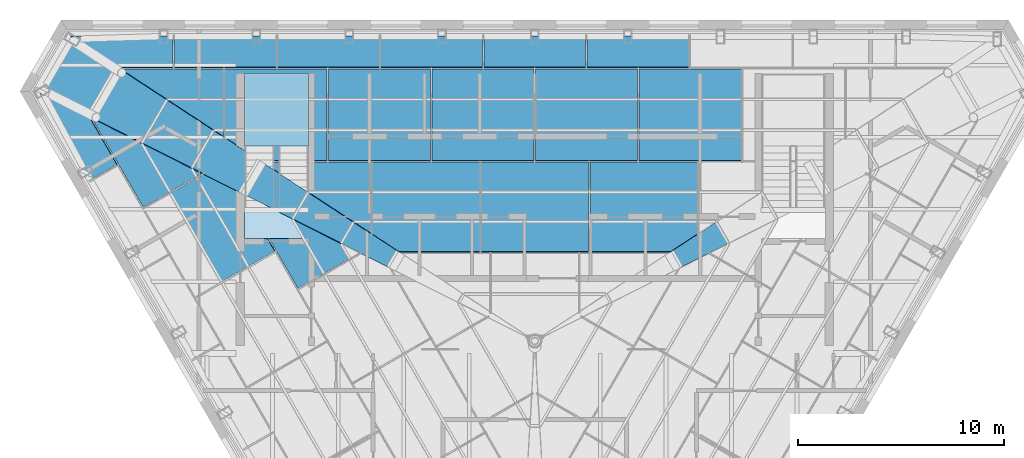
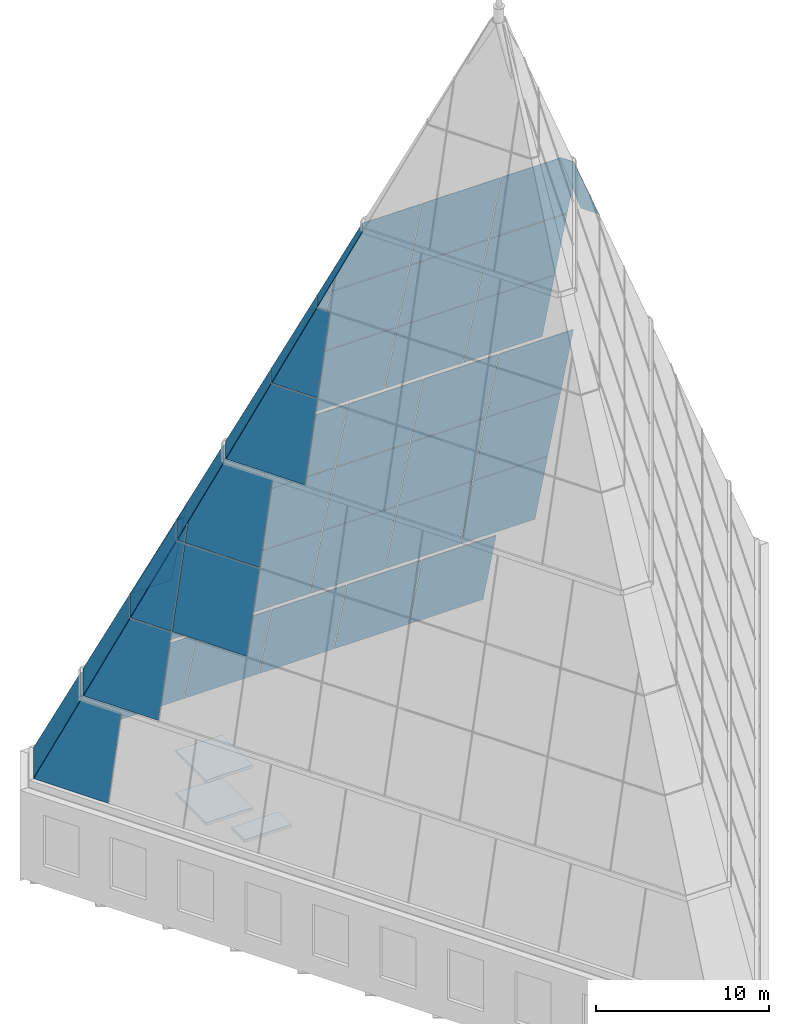
# One storey, part 28 of 36: 52 plates, 3 slabs, 11 elements without a shape of their own.
"""IFC4 building model written with IfcOpenShell, lengths in metres."""

import ifcopenshell
import ifcopenshell.guid

model = None  # the IFC model being written
_history = None  # IfcOwnerHistory: only IFC2X3 demands one
_inside = {}  # id of a spatial element -> (the spatial element, [elements in it])
_under = {}  # id of a project, library or spatial element -> (it, [spatial elements below it])
_declared = {}  # id of a project -> (the project, [libraries it declares])
_typed = {}  # id of a type object -> (the type object, [elements of that type])
_made_of = {}  # id of a material, layer set ... -> (it, [elements and type objects made of it])


def new_model(schema):
    """Start an empty IFC model of exactly this schema.

    Asked for "IFC4X3", IfcOpenShell would pick the latest addendum, in which some entities
    have other attributes; the version numbers below select the first issue.
    IFC2X3 requires an IfcOwnerHistory on every rooted entity: one is made here for all.
    """
    global model, _history
    if schema == "IFC4X3":
        model = ifcopenshell.file(schema_version=(4, 3, 0, 0))
    else:
        model = ifcopenshell.file(schema=schema)
    _inside.clear()
    _under.clear()
    _declared.clear()
    _typed.clear()
    _made_of.clear()
    _history = None
    if model.schema == "IFC2X3":
        org = make("IfcOrganization", Name="unknown")
        user = make(
            "IfcPersonAndOrganization",
            ThePerson=make("IfcPerson", FamilyName="unknown"),
            TheOrganization=org,
        )
        app = make(
            "IfcApplication",
            ApplicationDeveloper=org,
            Version="unknown",
            ApplicationFullName="unknown",
            ApplicationIdentifier="unknown",
        )
        _history = make(
            "IfcOwnerHistory",
            OwningUser=user,
            OwningApplication=app,
            ChangeAction="ADDED",
            CreationDate=0,
        )
    return model


def make(cls, **values):
    """One entity of the class cls with the attributes given. An attribute that is None is left unset."""
    return model.create_entity(
        cls, **{name: value for name, value in values.items() if value is not None}
    )


def rooted(cls, **values):
    """An entity with a GlobalId (a new one), such as an element, a storey or a relation."""
    return make(cls, GlobalId=ifcopenshell.guid.new(), OwnerHistory=_history, **values)


def si_unit(unit_type, name, prefix=None):
    """IfcSIUnit, for example si_unit("LENGTHUNIT", "METRE", prefix="MILLI")."""
    return make("IfcSIUnit", UnitType=unit_type, Prefix=prefix, Name=name)


def assignment(units):
    """IfcUnitAssignment: the units of a project."""
    return None if units is None else make("IfcUnitAssignment", Units=units)


def point(xyz):
    """IfcCartesianPoint."""
    return None if xyz is None else make("IfcCartesianPoint", Coordinates=xyz)


def direction(xyz):
    """IfcDirection."""
    return None if xyz is None else make("IfcDirection", DirectionRatios=xyz)


def frame(location, z_axis=None, x_axis=None):
    """IfcAxis2Placement3D, a coordinate frame: its origin and axes. An axis left out is left unset."""
    return make(
        "IfcAxis2Placement3D",
        Location=point(location),
        Axis=direction(z_axis),
        RefDirection=direction(x_axis),
    )


def origin():
    """The frame at (0, 0, 0) with its axes left unset."""
    return frame((0.0, 0.0, 0.0))


def place(relative_to, where):
    """IfcLocalPlacement: puts the frame where relative to a parent placement (None: the world)."""
    return make(
        "IfcLocalPlacement", PlacementRelTo=relative_to, RelativePlacement=where
    )


def context(
    kind, dimensions, precision=None, world=None, true_north=None, identifier=None
):
    """IfcGeometricRepresentationContext, for example the 3D "Model" context."""
    return make(
        "IfcGeometricRepresentationContext",
        ContextIdentifier=identifier,
        ContextType=kind,
        CoordinateSpaceDimension=dimensions,
        Precision=precision,
        WorldCoordinateSystem=world,
        TrueNorth=true_north,
    )


def subcontext(parent, identifier, kind, view, scale=None):
    """IfcGeometricRepresentationSubContext, for example "Body" below "Model"."""
    return make(
        "IfcGeometricRepresentationSubContext",
        ContextIdentifier=identifier,
        ContextType=kind,
        ParentContext=parent,
        TargetScale=scale,
        TargetView=view,
    )


def project(units=None, contexts=None):
    """IfcProject with its units and contexts."""
    return rooted(
        "IfcProject",
        Name="project",
        RepresentationContexts=contexts,
        UnitsInContext=assignment(units),
    )


def spatial(cls, under=None, at=None, **own):
    """A site, building, storey or space (cls), placed at a placement, below another one or the project."""
    s = rooted(cls, ObjectPlacement=at, **own)
    if under is not None:
        _under.setdefault(under.id(), (under, []))[1].append(s)
    return s


def polyline(points):
    """IfcPolyline through the points."""
    return make("IfcPolyline", Points=[point(p) for p in points])


def outline(outer, holes=None, kind="AREA"):
    """IfcArbitraryClosedProfileDef: a profile drawn as a closed curve; with holes, ...WithVoids."""
    if holes is None:
        return make("IfcArbitraryClosedProfileDef", ProfileType=kind, OuterCurve=outer)
    return make(
        "IfcArbitraryProfileDefWithVoids",
        ProfileType=kind,
        OuterCurve=outer,
        InnerCurves=holes,
    )


def extrude(swept, where, along, depth):
    """IfcExtrudedAreaSolid: the profile swept, set in the frame where, extruded along a direction by depth."""
    return make(
        "IfcExtrudedAreaSolid",
        SweptArea=swept,
        Position=where,
        ExtrudedDirection=direction(along),
        Depth=depth,
    )


def shape(context_of_items, identifier, shape_type, items):
    """IfcShapeRepresentation: the items that make up one representation, for example the "Body"."""
    return make(
        "IfcShapeRepresentation",
        ContextOfItems=context_of_items,
        RepresentationIdentifier=identifier,
        RepresentationType=shape_type,
        Items=items,
    )


def material(Name=None, Category=None):
    """IfcMaterial."""
    return make("IfcMaterial", Name=Name, Category=Category)


def layer(
    of_material, thickness, ventilated=None, Name=None, Category=None, Priority=None
):
    """IfcMaterialLayer: one layer of a wall or slab, of a material (None: an air gap)."""
    return make(
        "IfcMaterialLayer",
        Material=of_material,
        LayerThickness=thickness,
        IsVentilated=ventilated,
        Name=Name,
        Category=Category,
        Priority=Priority,
    )


def layer_set(layers, Name=None):
    """IfcMaterialLayerSet."""
    return make("IfcMaterialLayerSet", MaterialLayers=layers, LayerSetName=Name)


def made_of(thing, what):
    """Note that an element or type object is made of a material, layer set ...; save() writes the relation."""
    if what is not None:
        _made_of.setdefault(what.id(), (what, []))[1].append(thing)
    return thing


def type_object(cls, material=None, **own):
    """A type object (cls), such as IfcWallType, which elements share."""
    return made_of(rooted(cls, **own), material)


def element(
    cls,
    number,
    at=None,
    inside=None,
    cuts=None,
    type_object=None,
    material=None,
    context=None,
    identifier="Body",
    shape_type=None,
    held_by="IfcProductDefinitionShape",
    body=None,
    shapes=None,
    **own,
):
    """One element of the class cls, such as IfcWall. Its Tag is "e" and its number.

    at: its placement. inside: the storey or other place that contains it. cuts: it is an
    opening in that element (IfcRelVoidsElement). A single representation is given by context,
    identifier, shape_type and body (its items); several are given by shapes. held_by: the class
    of the entity that holds the representations. save() writes the other relations.
    """
    e = rooted(cls, Tag="e%d" % number, ObjectPlacement=at, **own)
    if body is not None:
        shapes = [shape(context, identifier, shape_type, body)]
    if shapes is not None:
        e.Representation = make(held_by, Representations=shapes)
    if inside is not None:
        _inside.setdefault(inside.id(), (inside, []))[1].append(e)
    if cuts is not None:
        rooted(
            "IfcRelVoidsElement", RelatingBuildingElement=cuts, RelatedOpeningElement=e
        )
    if type_object is not None:
        _typed.setdefault(type_object.id(), (type_object, []))[1].append(e)
    return made_of(e, material)


def aggregate(whole, parts):
    """IfcRelAggregates: a whole, such as a stair, and the parts it consists of."""
    return rooted("IfcRelAggregates", RelatingObject=whole, RelatedObjects=parts)


def save(model, path):
    """Write the relations noted so far, then the file.

    IfcRelAggregates (storeys below a building ...), IfcRelContainedInSpatialStructure (elements
    in a storey), IfcRelDefinesByType, IfcRelAssociatesMaterial and IfcRelDeclares: one each for
    every whole, place, type object, material and project.
    """
    for whole, parts in _under.values():
        aggregate(whole, parts)
    for where, things in _inside.values():
        rooted(
            "IfcRelContainedInSpatialStructure",
            RelatedElements=things,
            RelatingStructure=where,
        )
    for kind, things in _typed.values():
        rooted("IfcRelDefinesByType", RelatedObjects=things, RelatingType=kind)
    for what, things in _made_of.values():
        rooted("IfcRelAssociatesMaterial", RelatedObjects=things, RelatingMaterial=what)
    for by, libraries in _declared.values():
        rooted("IfcRelDeclares", RelatingContext=by, RelatedDefinitions=libraries)
    model.write(path)


model = new_model("IFC4")

# Units and contexts
model_context = context("Model", 3, precision=1e-05, world=origin(), true_north=direction((0.0, 1.0)))
body_context = subcontext(model_context, "Body", "Model", "MODEL_VIEW")
ifc_project = project(units=[si_unit("LENGTHUNIT", "METRE"), si_unit("AREAUNIT", "SQUARE_METRE"), si_unit("VOLUMEUNIT", "CUBIC_METRE"), si_unit("PLANEANGLEUNIT", "RADIAN"), si_unit("MASSUNIT", "GRAM", prefix="KILO")], contexts=[model_context])

# Site, building, storey
site_placement = place(None, origin())
site = spatial("IfcSite", under=ifc_project, at=site_placement, CompositionType="ELEMENT")
building_placement = place(site_placement, origin())
building = spatial("IfcBuilding", under=site, at=building_placement, Name="Njiva Tower", CompositionType="ELEMENT")
storey_placement = place(building_placement, frame((0.0, 0.0, 337.8)))
storey = spatial("IfcBuildingStorey", under=building, at=storey_placement, Name="L77", CompositionType="ELEMENT", Elevation=337.8)

# Curtain wall, plates
ifc_material_1 = material(Name="Glazed curtain wall", Category="glass")
ifc_layer_1 = layer(ifc_material_1, 0.16)
ifc_layer_set_1 = layer_set([ifc_layer_1], Name="Glazed curtain wall")
curtain_wall_type_1 = type_object("IfcCurtainWallType", Name="CW2 Crown glazing, faceted point, long faces", PredefinedType="NOTDEFINED", material=ifc_layer_set_1)
curtain_wall_1_placement = place(storey_placement, origin())
curtain_wall_1 = element("IfcCurtainWall", 1, at=curtain_wall_1_placement, inside=storey, type_object=curtain_wall_type_1, Name="Crown glazing face N tier 1", PredefinedType="NOTDEFINED")
ifc_material_2 = material(Name="Clear laminated glass", Category="glass")
ifc_layer_2 = layer(ifc_material_2, 0.032)
ifc_layer_set_2 = layer_set([ifc_layer_2], Name="Clear laminated glass")
plate_type_1 = type_object("IfcPlateType", Name="CW2-P Crown glass panel 32", PredefinedType="CURTAIN_PANEL", material=ifc_layer_set_2)
plate_1_placement = place(storey_placement, frame((2.5342, 19.4154, 6.5043), z_axis=(0.0, 0.963853799093, 0.266431706022), x_axis=(0.0, -0.266431706022, 0.963853799093)))
plate_1 = element("IfcPlate", 2, at=plate_1_placement, type_object=plate_type_1, Name="CW2-11 panel 4.1", PredefinedType="CURTAIN_PANEL", context=body_context, shape_type="SweptSolid", body=[
    extrude(outline(polyline([(0.0, 0.0), (5.659987028253686, 0.0), (5.659987028253686, 4.948500000000001), (0.0, 4.948500000000001), (0.0, 0.0)])), origin(), (0.0, 0.0, -1.0), 0.032),
])
plate_2_placement = place(storey_placement, frame((-2.4742, 19.4154, 6.5043), z_axis=(0.0, 0.963853799093, 0.266431706022), x_axis=(0.0, -0.266431706022, 0.963853799093)))
plate_2 = element("IfcPlate", 3, at=plate_2_placement, type_object=plate_type_1, Name="CW2-11 panel 5.1", PredefinedType="CURTAIN_PANEL", context=body_context, shape_type="SweptSolid", body=[
    extrude(outline(polyline([(0.0, 0.0), (5.659987028253685, 0.0), (5.659987028253685, 4.9484), (0.0, 4.9484), (0.0, 0.0)])), origin(), (0.0, 0.0, -1.0), 0.032),
])
plate_3_placement = place(storey_placement, frame((-7.4827, 19.4154, 6.5043), z_axis=(0.0, 0.963853799093, 0.266431706022), x_axis=(0.0, -0.266431706022, 0.963853799093)))
plate_3 = element("IfcPlate", 4, at=plate_3_placement, type_object=plate_type_1, Name="CW2-11 panel 6.1", PredefinedType="CURTAIN_PANEL", context=body_context, shape_type="SweptSolid", body=[
    extrude(outline(polyline([(0.0, 0.0), (5.659987028253686, 0.0), (5.659987028253686, 4.948500000000001), (0.0, 4.948500000000001), (0.0, 0.0)])), origin(), (0.0, 0.0, -1.0), 0.032),
])
plate_4_placement = place(storey_placement, frame((-12.4912, 19.4154, 6.5043), z_axis=(0.0, 0.963853799093, 0.266431706022), x_axis=(0.0, -0.266431706022, 0.963853799093)))
plate_4 = element("IfcPlate", 5, at=plate_4_placement, type_object=plate_type_1, Name="CW2-11 panel 7.1", PredefinedType="CURTAIN_PANEL", context=body_context, shape_type="SweptSolid", body=[
    extrude(outline(polyline([(0.0, 0.0), (5.659987028253686, 0.0), (5.659987028253686, 4.948499999999999), (0.0, 4.948499999999999), (0.0, 0.0)])), origin(), (0.0, 0.0, -1.0), 0.032),
])
plate_5_placement = place(storey_placement, frame((-17.4996, 19.4154, 6.5043), z_axis=(0.0, 0.963853799093, 0.266431706022), x_axis=(0.0, -0.266431706022, 0.963853799093)))
plate_5 = element("IfcPlate", 6, at=plate_5_placement, type_object=plate_type_1, Name="CW2-11 panel 8.1", PredefinedType="CURTAIN_PANEL", context=body_context, shape_type="SweptSolid", body=[
    extrude(outline(polyline([(0.0, 0.0), (5.659987028253685, 0.0), (5.659987028253685, 4.948400000000001), (0.0, 4.948400000000001), (0.0, 0.0)])), origin(), (0.0, 0.0, -1.0), 0.032),
])
plate_6_placement = place(storey_placement, frame((-17.5596, 17.9074, 11.9597), z_axis=(0.0, 0.963853799093, 0.266431706022), x_axis=(0.0, 0.266431706022, -0.963853799093)))
plate_6 = element("IfcPlate", 7, at=plate_6_placement, type_object=plate_type_1, Name="CW2-11 panel 9.1", PredefinedType="CURTAIN_PANEL", context=body_context, shape_type="SweptSolid", body=[
    extrude(outline(polyline([(0.0, 0.0), (5.659987028253686, 0.0), (5.659987028253686, 4.9785), (0.0, 2.680299999999999), (0.0, 0.0)])), origin(), (0.0, 0.0, -1.0), 0.032),
])
aggregate(curtain_wall_1, [plate_1, plate_2, plate_3, plate_4, plate_5, plate_6])

curtain_wall_2_placement = place(storey_placement, origin())
curtain_wall_2 = element("IfcCurtainWall", 8, at=curtain_wall_2_placement, inside=storey, type_object=curtain_wall_type_1, Name="Crown glazing face N tier 2", PredefinedType="NOTDEFINED")
plate_7_placement = place(storey_placement, frame((5.0595, 17.8275, 12.2488), z_axis=(0.0, 0.963853230824, 0.266433761806), x_axis=(0.0, -0.266433761806, 0.963853230824)))
plate_7 = element("IfcPlate", 9, at=plate_7_placement, type_object=plate_type_1, Name="CW2-12 panel 3.1", PredefinedType="CURTAIN_PANEL", context=body_context, shape_type="SweptSolid", body=[
    extrude(outline(polyline([(0.0, 0.0), (5.541715096429952, 0.0), (5.541715096429952, 4.969499999999999), (0.0, 4.969499999999999), (0.0, 0.0)])), origin(), (0.0, 0.0, -1.0), 0.032),
])
plate_8_placement = place(storey_placement, frame((5.0595, 16.3351, 17.648), z_axis=(0.0, 0.963853757245, 0.266431857414), x_axis=(0.0, -0.266431857414, 0.963853757245)))
plate_8 = element("IfcPlate", 10, at=plate_8_placement, type_object=plate_type_1, Name="CW2-12 panel 3.2", PredefinedType="CURTAIN_PANEL", context=body_context, shape_type="SweptSolid", body=[
    extrude(outline(polyline([(0.0, 0.0), (5.5117282679754815, 0.0), (5.5117282679754815, 4.9695), (0.0, 4.9695), (0.0, 0.0)])), origin(), (0.0, 0.0, -1.0), 0.032),
])
plate_9_placement = place(storey_placement, frame((10.029, 13.3742, 28.3597), z_axis=(0.0, 0.9638578647, 0.266416997687), x_axis=(0.0, 0.266416997687, -0.9638578647)))
plate_9 = element("IfcPlate", 11, at=plate_9_placement, type_object=plate_type_1, Name="CW2-12 panel 3.3", PredefinedType="CURTAIN_PANEL", context=body_context, shape_type="SweptSolid", body=[
    extrude(outline(polyline([(0.0, 0.0), (5.541688453891975, 0.0), (5.541688453891975, 4.9695), (0.0, 4.9695), (0.0, 0.0)])), origin(), (0.0, 0.0, -1.0), 0.032),
])
plate_10_placement = place(storey_placement, frame((0.03, 17.8275, 12.2488), z_axis=(0.0, 0.963853230824, 0.266433761806), x_axis=(0.0, -0.266433761806, 0.963853230824)))
plate_10 = element("IfcPlate", 12, at=plate_10_placement, type_object=plate_type_1, Name="CW2-12 panel 4.1", PredefinedType="CURTAIN_PANEL", context=body_context, shape_type="SweptSolid", body=[
    extrude(outline(polyline([(0.0, 0.0), (5.541715096429952, 0.0), (5.541715096429952, 4.969499999999999), (0.0, 4.969499999999999), (0.0, 0.0)])), origin(), (0.0, 0.0, -1.0), 0.032),
])
plate_11_placement = place(storey_placement, frame((0.03, 16.3351, 17.648), z_axis=(0.0, 0.963853757245, 0.266431857414), x_axis=(0.0, -0.266431857414, 0.963853757245)))
plate_11 = element("IfcPlate", 13, at=plate_11_placement, type_object=plate_type_1, Name="CW2-12 panel 4.2", PredefinedType="CURTAIN_PANEL", context=body_context, shape_type="SweptSolid", body=[
    extrude(outline(polyline([(0.0, 0.0), (5.5117282679754815, 0.0), (5.5117282679754815, 4.9695), (0.0, 4.9695), (0.0, 0.0)])), origin(), (0.0, 0.0, -1.0), 0.032),
])
plate_12_placement = place(storey_placement, frame((4.9995, 13.3742, 28.3597), z_axis=(0.0, 0.9638578647, 0.266416997687), x_axis=(0.0, 0.266416997687, -0.9638578647)))
plate_12 = element("IfcPlate", 14, at=plate_12_placement, type_object=plate_type_1, Name="CW2-12 panel 4.3", PredefinedType="CURTAIN_PANEL", context=body_context, shape_type="SweptSolid", body=[
    extrude(outline(polyline([(0.0, 0.0), (5.541688453891975, 0.0), (5.541688453891975, 4.9695), (0.0, 4.9695), (0.0, 0.0)])), origin(), (0.0, 0.0, -1.0), 0.032),
])
plate_13_placement = place(storey_placement, frame((-4.9995, 17.8275, 12.2488), z_axis=(0.0, 0.963853230824, 0.266433761806), x_axis=(0.0, -0.266433761806, 0.963853230824)))
plate_13 = element("IfcPlate", 15, at=plate_13_placement, type_object=plate_type_1, Name="CW2-12 panel 5.1", PredefinedType="CURTAIN_PANEL", context=body_context, shape_type="SweptSolid", body=[
    extrude(outline(polyline([(0.0, 0.0), (5.541715096429952, 0.0), (5.541715096429952, 4.969499999999999), (0.0, 4.969499999999999), (0.0, 0.0)])), origin(), (0.0, 0.0, -1.0), 0.032),
])
plate_14_placement = place(storey_placement, frame((-4.9995, 16.3351, 17.648), z_axis=(0.0, 0.963853757245, 0.266431857414), x_axis=(0.0, -0.266431857414, 0.963853757245)))
plate_14 = element("IfcPlate", 16, at=plate_14_placement, type_object=plate_type_1, Name="CW2-12 panel 5.2", PredefinedType="CURTAIN_PANEL", context=body_context, shape_type="SweptSolid", body=[
    extrude(outline(polyline([(0.0, 0.0), (5.5117282679754815, 0.0), (5.5117282679754815, 4.9695), (0.0, 4.9695), (0.0, 0.0)])), origin(), (0.0, 0.0, -1.0), 0.032),
])
plate_15_placement = place(storey_placement, frame((-0.03, 13.3742, 28.3597), z_axis=(0.0, 0.9638578647, 0.266416997687), x_axis=(0.0, 0.266416997687, -0.9638578647)))
plate_15 = element("IfcPlate", 17, at=plate_15_placement, type_object=plate_type_1, Name="CW2-12 panel 5.3", PredefinedType="CURTAIN_PANEL", context=body_context, shape_type="SweptSolid", body=[
    extrude(outline(polyline([(0.0, 0.0), (5.541688453891975, 0.0), (5.541688453891975, 4.9695), (0.0, 4.9695), (0.0, 0.0)])), origin(), (0.0, 0.0, -1.0), 0.032),
])
plate_16_placement = place(storey_placement, frame((-10.029, 17.8275, 12.2488), z_axis=(0.0, 0.963853230824, 0.266433761806), x_axis=(0.0, -0.266433761806, 0.963853230824)))
plate_16 = element("IfcPlate", 18, at=plate_16_placement, type_object=plate_type_1, Name="CW2-12 panel 6.1", PredefinedType="CURTAIN_PANEL", context=body_context, shape_type="SweptSolid", body=[
    extrude(outline(polyline([(0.0, 0.0), (5.541715096429952, 0.0), (5.541715096429952, 4.969499999999999), (0.0, 4.969499999999999), (0.0, 0.0)])), origin(), (0.0, 0.0, -1.0), 0.032),
])
plate_17_placement = place(storey_placement, frame((-10.029, 16.3351, 17.648), z_axis=(0.0, 0.963853757245, 0.266431857414), x_axis=(0.0, -0.266431857414, 0.963853757245)))
plate_17 = element("IfcPlate", 19, at=plate_17_placement, type_object=plate_type_1, Name="CW2-12 panel 6.2", PredefinedType="CURTAIN_PANEL", context=body_context, shape_type="SweptSolid", body=[
    extrude(outline(polyline([(0.0, 0.0), (5.5117282679754815, 0.0), (5.5117282679754815, 4.9695), (0.0, 4.9695), (0.0, 0.0)])), origin(), (0.0, 0.0, -1.0), 0.032),
])
plate_18_placement = place(storey_placement, frame((-5.0595, 13.3742, 28.3597), z_axis=(0.0, 0.9638578647, 0.266416997687), x_axis=(0.0, 0.266416997687, -0.9638578647)))
plate_18 = element("IfcPlate", 20, at=plate_18_placement, type_object=plate_type_1, Name="CW2-12 panel 6.3", PredefinedType="CURTAIN_PANEL", context=body_context, shape_type="SweptSolid", body=[
    extrude(outline(polyline([(0.0, 0.0), (5.541688453891975, 0.0), (5.541688453891975, 4.9695), (0.0, 4.9695), (0.0, 0.0)])), origin(), (0.0, 0.0, -1.0), 0.032),
])
plate_19_placement = place(storey_placement, frame((-15.0586, 17.8275, 12.2488), z_axis=(0.0, 0.963853230824, 0.266433761806), x_axis=(0.0, -0.266433761806, 0.963853230824)))
plate_19 = element("IfcPlate", 21, at=plate_19_placement, type_object=plate_type_1, Name="CW2-12 panel 7.1", PredefinedType="CURTAIN_PANEL", context=body_context, shape_type="SweptSolid", body=[
    extrude(outline(polyline([(0.0, 0.0), (5.541715096429952, 0.0), (5.541715096429952, 4.9696), (0.0, 4.9696), (0.0, 0.0)])), origin(), (0.0, 0.0, -1.0), 0.032),
])
plate_20_placement = place(storey_placement, frame((-15.0586, 16.3351, 17.648), z_axis=(0.0, 0.963853757245, 0.266431857414), x_axis=(0.0, -0.266431857414, 0.963853757245)))
plate_20 = element("IfcPlate", 22, at=plate_20_placement, type_object=plate_type_1, Name="CW2-12 panel 7.2", PredefinedType="CURTAIN_PANEL", context=body_context, shape_type="SweptSolid", body=[
    extrude(outline(polyline([(0.0, 0.0), (5.5117282679754815, 0.0), (5.5117282679754815, 4.9696), (0.0, 4.9696), (0.0, 0.0)])), origin(), (0.0, 0.0, -1.0), 0.032),
])
plate_21_placement = place(storey_placement, frame((-10.089, 13.3742, 28.3597), z_axis=(1.168663e-06, 0.963857961762, 0.266416646528), x_axis=(0.0, 0.266416646528, -0.963857961762)))
plate_21 = element("IfcPlate", 23, at=plate_21_placement, type_object=plate_type_1, Name="CW2-12 panel 7.3", PredefinedType="CURTAIN_PANEL", context=body_context, shape_type="SweptSolid", body=[
    extrude(outline(polyline([(0.0, 0.0), (5.541688453891607, 0.0), (5.541688453893722, 4.969599999996607), (4.254571998436861, 4.96960000000837), (1.3803613007902165e-12, 3.2419999999977853), (0.0, 0.0)])), origin(), (0.0, 0.0, -1.0), 0.032),
])
plate_22_placement = place(storey_placement, frame((-17.8679, 16.351, 17.5902), z_axis=(0.0, 0.963853230824, 0.266433761806), x_axis=(1.0, 0.0, 0.0)))
plate_22 = element("IfcPlate", 24, at=plate_22_placement, type_object=plate_type_1, Name="CW2-12 panel 8.1", PredefinedType="CURTAIN_PANEL", context=body_context, shape_type="SweptSolid", body=[
    extrude(outline(polyline([(0.0, 0.0), (2.749299999999998, 0.0), (2.749299999999998, 5.541715096429951), (-2.2501999999999995, 5.541715096429951), (0.0, 0.0)])), origin(), (0.0, 0.0, -1.0), 0.032),
])
plate_23_placement = place(storey_placement, frame((-15.6056, 14.8666, 22.9605), z_axis=(0.0, 0.963853757245, 0.266431857414), x_axis=(1.0, 0.0, 0.0)))
plate_23 = element("IfcPlate", 25, at=plate_23_placement, type_object=plate_type_1, Name="CW2-12 panel 8.2", PredefinedType="CURTAIN_PANEL", context=body_context, shape_type="SweptSolid", body=[
    extrude(outline(polyline([(0.0, 0.0), (0.4870000000000001, 0.0), (0.4870000000000001, 5.5117282679754815), (-2.237899999999998, 5.5117282679754815), (0.0, 0.0)])), origin(), (0.0, 0.0, -1.0), 0.032),
])
plate_24_placement = place(storey_placement, frame((-15.1186, 14.5471, 24.1165), z_axis=(0.0, 0.963869154255, 0.266376150352), x_axis=(0.0, 0.266376150352, -0.963869154255)))
plate_24 = element("IfcPlate", 26, at=plate_24_placement, type_object=plate_type_1, Name="CW2-12 panel 8.3", PredefinedType="CURTAIN_PANEL", context=body_context, shape_type="SweptSolid", body=[
    extrude(outline(polyline([(0.0, 0.0), (1.1393662668342954, 0.0), (1.1393662668342954, 0.4626000000000001), (0.0, 0.0)])), origin(), (0.0, 0.0, -1.0), 0.032),
])
aggregate(curtain_wall_2, [plate_7, plate_8, plate_9, plate_10, plate_11, plate_12, plate_13, plate_14, plate_15, plate_16, plate_17, plate_18, plate_19, plate_20, plate_21, plate_22, plate_23, plate_24])

curtain_wall_3_placement = place(storey_placement, origin())
curtain_wall_3 = element("IfcCurtainWall", 27, at=curtain_wall_3_placement, inside=storey, type_object=curtain_wall_type_1, Name="Crown glazing face N tier 3", PredefinedType="NOTDEFINED")
plate_25_placement = place(storey_placement, frame((2.6718, 13.2942, 28.6488), z_axis=(0.0, 0.963855724006, 0.266424742282), x_axis=(0.0, -0.266424742282, 0.963855724006)))
plate_25 = element("IfcPlate", 28, at=plate_25_placement, type_object=plate_type_1, Name="CW2-13 panel 2.1", PredefinedType="CURTAIN_PANEL", context=body_context, shape_type="SweptSolid", body=[
    extrude(outline(polyline([(0.0, 0.0), (5.403402055187086, 0.0), (5.403402055187086, 5.2237), (0.0, 5.2237), (0.0, 0.0)])), origin(), (0.0, 0.0, -1.0), 0.032),
])
plate_26_placement = place(storey_placement, frame((2.6718, 11.8386, 33.9147), z_axis=(0.0, 0.963854956869, 0.266427517571), x_axis=(0.0, -0.266427517571, 0.963854956869)))
plate_26 = element("IfcPlate", 29, at=plate_26_placement, type_object=plate_type_1, Name="CW2-13 panel 2.2", PredefinedType="CURTAIN_PANEL", context=body_context, shape_type="SweptSolid", body=[
    extrude(outline(polyline([(0.0, 0.0), (5.373318841274921, 0.0), (5.373318841274921, 5.223700000000001), (0.0, 5.223700000000001), (0.0, 0.0)])), origin(), (0.0, 0.0, -1.0), 0.032),
])
plate_27_placement = place(storey_placement, frame((7.8955, 9.8076, 41.2622), z_axis=(1.366324e-06, 0.963854322401, 0.266429812873), x_axis=(-8e-12, 0.266429812874, -0.963854322402)))
plate_27 = element("IfcPlate", 30, at=plate_27_placement, type_object=plate_type_1, Name="CW2-13 panel 2.3", PredefinedType="CURTAIN_PANEL", context=body_context, shape_type="SweptSolid", body=[
    extrude(outline(polyline([(0.0, 0.0), (2.1896497002589173, 0.0), (2.1896497002996345, 5.223699999995125), (-3.21365596938041, 5.223700000039678), (-3.2136559694109557, 1.304900000043335), (0.0, 0.0)])), origin(), (0.0, 0.0, -1.0), 0.032),
])
plate_28_placement = place(storey_placement, frame((-2.6118, 13.2942, 28.6488), z_axis=(0.0, 0.963855724006, 0.266424742282), x_axis=(0.0, -0.266424742282, 0.963855724006)))
plate_28 = element("IfcPlate", 31, at=plate_28_placement, type_object=plate_type_1, Name="CW2-13 panel 3.1", PredefinedType="CURTAIN_PANEL", context=body_context, shape_type="SweptSolid", body=[
    extrude(outline(polyline([(0.0, 0.0), (5.403402055187086, 0.0), (5.403402055187086, 5.2236), (0.0, 5.2236), (0.0, 0.0)])), origin(), (0.0, 0.0, -1.0), 0.032),
])
plate_29_placement = place(storey_placement, frame((-2.6118, 11.8386, 33.9147), z_axis=(0.0, 0.963854956869, 0.266427517571), x_axis=(0.0, -0.266427517571, 0.963854956869)))
plate_29 = element("IfcPlate", 32, at=plate_29_placement, type_object=plate_type_1, Name="CW2-13 panel 3.2", PredefinedType="CURTAIN_PANEL", context=body_context, shape_type="SweptSolid", body=[
    extrude(outline(polyline([(0.0, 0.0), (5.37331884127492, 0.0), (5.37331884127492, 5.223599999999999), (0.0, 5.223599999999999), (0.0, 0.0)])), origin(), (0.0, 0.0, -1.0), 0.032),
])
plate_30_placement = place(storey_placement, frame((2.6118, 8.9514, 44.3597), z_axis=(0.0, 0.963854410315, 0.266429494833), x_axis=(0.0, 0.266429494833, -0.963854410315)))
plate_30 = element("IfcPlate", 33, at=plate_30_placement, type_object=plate_type_1, Name="CW2-13 panel 3.3", PredefinedType="CURTAIN_PANEL", context=body_context, shape_type="SweptSolid", body=[
    extrude(outline(polyline([(0.0, 0.0), (5.403305669680338, 0.0), (5.403305669680338, 5.2236), (0.0, 5.2236), (0.0, 0.0)])), origin(), (0.0, 0.0, -1.0), 0.032),
])
plate_31_placement = place(storey_placement, frame((-7.8955, 13.2942, 28.6488), z_axis=(0.0, 0.963855724006, 0.266424742282), x_axis=(0.0, -0.266424742282, 0.963855724006)))
plate_31 = element("IfcPlate", 34, at=plate_31_placement, type_object=plate_type_1, Name="CW2-13 panel 4.1", PredefinedType="CURTAIN_PANEL", context=body_context, shape_type="SweptSolid", body=[
    extrude(outline(polyline([(0.0, 0.0), (5.403402055187086, 0.0), (5.403402055187086, 5.2237), (0.0, 5.2237), (0.0, 0.0)])), origin(), (0.0, 0.0, -1.0), 0.032),
])
plate_32_placement = place(storey_placement, frame((-7.8955, 11.8386, 33.9147), z_axis=(0.0, 0.963854956869, 0.266427517571), x_axis=(0.0, -0.266427517571, 0.963854956869)))
plate_32 = element("IfcPlate", 35, at=plate_32_placement, type_object=plate_type_1, Name="CW2-13 panel 4.2", PredefinedType="CURTAIN_PANEL", context=body_context, shape_type="SweptSolid", body=[
    extrude(outline(polyline([(0.0, 0.0), (5.373318841274921, 0.0), (5.373318841274921, 5.223700000000001), (0.0, 5.223700000000001), (0.0, 0.0)])), origin(), (0.0, 0.0, -1.0), 0.032),
])
plate_33_placement = place(storey_placement, frame((-2.6718, 8.9514, 44.3597), z_axis=(-1.366324e-06, 0.963854322401, 0.266429812873), x_axis=(0.0, 0.266429812874, -0.963854322402)))
plate_33 = element("IfcPlate", 36, at=plate_33_placement, type_object=plate_type_1, Name="CW2-13 panel 4.3", PredefinedType="CURTAIN_PANEL", context=body_context, shape_type="SweptSolid", body=[
    extrude(outline(polyline([(0.0, 0.0), (5.403305669680044, 0.0), (5.403305669682399, 5.223699999995124), (3.2136559694234816, 5.223700000013179), (1.7667631656273846e-12, 3.918799999996342), (0.0, 0.0)])), origin(), (0.0, 0.0, -1.0), 0.032),
])
plate_34_placement = place(storey_placement, frame((-11.0152, 11.8546, 33.8569), z_axis=(0.0, 0.963855724006, 0.266424742282), x_axis=(1.0, 0.0, 0.0)))
plate_34 = element("IfcPlate", 37, at=plate_34_placement, type_object=plate_type_1, Name="CW2-13 panel 5.1", PredefinedType="CURTAIN_PANEL", context=body_context, shape_type="SweptSolid", body=[
    extrude(outline(polyline([(0.0, 0.0), (3.0597000000000003, 0.0), (3.0597000000000003, 5.403402055187085), (-2.193999999999999, 5.403402055187085), (0.0, 0.0)])), origin(), (0.0, 0.0, -1.0), 0.032),
])
plate_35_placement = place(storey_placement, frame((-8.809, 10.407, 39.0938), z_axis=(0.0, 0.963854956869, 0.266427517571), x_axis=(1.0, 0.0, 0.0)))
plate_35 = element("IfcPlate", 38, at=plate_35_placement, type_object=plate_type_1, Name="CW2-13 panel 5.2", PredefinedType="CURTAIN_PANEL", context=body_context, shape_type="SweptSolid", body=[
    extrude(outline(polyline([(0.0, 0.0), (0.8534999999999995, 0.0), (0.8534999999999995, 5.373318841274921), (-2.181800000000001, 5.373318841274921), (0.0, 0.0)])), origin(), (0.0, 0.0, -1.0), 0.032),
])
plate_36_placement = place(storey_placement, frame((-7.9555, 9.847, 41.1198), z_axis=(0.0, 0.963857423008, 0.266418595659), x_axis=(0.0, 0.266418595659, -0.963857423008)))
plate_36 = element("IfcPlate", 39, at=plate_36_placement, type_object=plate_type_1, Name="CW2-13 panel 5.3", PredefinedType="CURTAIN_PANEL", context=body_context, shape_type="SweptSolid", body=[
    extrude(outline(polyline([(0.0, 0.0), (2.0418995102599866, 0.0), (2.0418995102599866, 0.8290999999999995), (0.0, 0.0)])), origin(), (0.0, 0.0, -1.0), 0.032),
])
aggregate(curtain_wall_3, [plate_25, plate_26, plate_27, plate_28, plate_29, plate_30, plate_31, plate_32, plate_33, plate_34, plate_35, plate_36])

# Curtain wall, plate
curtain_wall_4_placement = place(storey_placement, origin())
curtain_wall_4 = element("IfcCurtainWall", 40, at=curtain_wall_4_placement, inside=storey, type_object=curtain_wall_type_1, Name="Crown glazing face SW tier 1", PredefinedType="NOTDEFINED")
plate_37_placement = place(storey_placement, frame((-21.6004, 12.4167, 6.5043), z_axis=(-0.834725233972, -0.481917369766, 0.266438421569), x_axis=(0.230743929742, 0.133216633253, 0.963851942734)))
plate_37 = element("IfcPlate", 41, at=plate_37_placement, type_object=plate_type_1, Name="CW2-31 panel 1.1", PredefinedType="CURTAIN_PANEL", context=body_context, shape_type="SweptSolid", body=[
    extrude(outline(polyline([(0.0, 0.0), (5.659994802106447, -1.1575531081353587e-16), (5.6599973109652835, 2.68026816752834), (-4.275644912343779e-06, 4.978468528559134), (0.0, 0.0)])), origin(), (0.0, 0.0, -1.0), 0.032),
])
aggregate(curtain_wall_4, [plate_37])

# Curtain wall, plates
curtain_wall_5_placement = place(storey_placement, origin())
curtain_wall_5 = element("IfcCurtainWall", 42, at=curtain_wall_5_placement, inside=storey, type_object=curtain_wall_type_1, Name="Crown glazing face SW tier 2", PredefinedType="NOTDEFINED")
plate_38_placement = place(storey_placement, frame((-19.0046, 11.0966, 12.2488), z_axis=(-0.834723215778, -0.481929889064, 0.266422099435), x_axis=(0.23072831047, 0.133211042393, 0.963856454526)))
plate_38 = element("IfcPlate", 43, at=plate_38_placement, type_object=plate_type_1, Name="CW2-32 panel 1.1", PredefinedType="CURTAIN_PANEL", context=body_context, shape_type="SweptSolid", body=[
    extrude(outline(polyline([(0.0, 0.0), (5.541688475468809, 5.2861632172246376e-17), (5.541695080108525, 2.74944308890011), (-1.0780262383103256e-05, 4.999530190830732), (0.0, 0.0)])), origin(), (0.0, 0.0, -1.0), 0.032),
])
plate_39_placement = place(storey_placement, frame((-19.0746, 14.2027, 17.648), z_axis=(-0.834718218358, -0.481937539072, 0.266423918547), x_axis=(0.500009434417, -0.86601995675, -2.03617e-06)))
plate_39 = element("IfcPlate", 44, at=plate_39_placement, type_object=plate_type_1, Name="CW2-32 panel 1.2", PredefinedType="CURTAIN_PANEL", context=body_context, shape_type="SweptSolid", body=[
    extrude(outline(polyline([(0.0, 0.0), (2.7249833503282694, 5.551115123125783e-17), (2.724916076681898, 5.511721475640848), (2.2379631636397437, 5.5117146903443635), (0.0, 0.0)])), origin(), (0.0, 0.0, -1.0), 0.032),
])
plate_40_placement = place(storey_placement, frame((-16.6579, 12.9857, 23.0183), z_axis=(-0.834717529377, -0.481952482638, 0.266399043972), x_axis=(0.500021859037, -0.866012783096, 0.0)))
plate_40 = element("IfcPlate", 45, at=plate_40_placement, type_object=plate_type_1, Name="CW2-32 panel 1.3", PredefinedType="CURTAIN_PANEL", context=body_context, shape_type="SweptSolid", body=[
    extrude(outline(polyline([(0.0, 0.0), (0.46257977690340035, -6.938893903907228e-18), (0.4626613844484892, 1.1393737461167555), (0.0, 0.0)])), origin(), (0.0, 0.0, -1.0), 0.032),
])
plate_41_placement = place(storey_placement, frame((-15.1974, 7.4871, 17.648), z_axis=(-0.834729858119, -0.481917694678, 0.266423346426), x_axis=(0.230722813548, 0.133223057616, 0.963856109711)))
plate_41 = element("IfcPlate", 46, at=plate_41_placement, type_object=plate_type_1, Name="CW2-32 panel 2.2", PredefinedType="CURTAIN_PANEL", context=body_context, shape_type="SweptSolid", body=[
    extrude(outline(polyline([(0.0, 0.0), (5.51172147603808, -3.382710778154774e-17), (5.511796574277788, 4.969463529776594), (8.842054546986944e-05, 4.969550132718373), (0.0, 0.0)])), origin(), (0.0, 0.0, -1.0), 0.032),
])
plate_42_placement = place(storey_placement, frame((-16.0996, 12.7046, 24.2589), z_axis=(-0.834724724964, -0.48192425626, 0.266427560065), x_axis=(-0.230723962083, -0.133229495324, -0.963854944946)))
plate_42 = element("IfcPlate", 47, at=plate_42_placement, type_object=plate_type_1, Name="CW2-32 panel 2.3", PredefinedType="CURTAIN_PANEL", context=body_context, shape_type="SweptSolid", body=[
    extrude(outline(polyline([(0.0, 0.0), (1.2871323198864264, 1.0242322398199e-17), (1.2872091979278197, 4.96951352947726), (-4.254479276373042, 4.969614138559161), (-4.2545539373039345, 1.7277112155246772), (0.0, 0.0)])), origin(), (0.0, 0.0, -1.0), 0.032),
])
aggregate(curtain_wall_5, [plate_38, plate_39, plate_40, plate_41, plate_42])

curtain_wall_6_placement = place(storey_placement, origin())
curtain_wall_6 = element("IfcCurtainWall", 48, at=curtain_wall_6_placement, inside=storey, type_object=curtain_wall_type_1, Name="Crown glazing face SW tier 3", PredefinedType="NOTDEFINED")
plate_43_placement = place(storey_placement, frame((-11.4972, 7.1599, 28.6488), z_axis=(-0.834720213512, -0.481933677548, 0.266424652762), x_axis=(0.230733748325, 0.133206730489, 0.963855748718)))
plate_43 = element("IfcPlate", 49, at=plate_43_placement, type_object=plate_type_1, Name="CW2-33 panel 1.1", PredefinedType="CURTAIN_PANEL", context=body_context, shape_type="SweptSolid", body=[
    extrude(outline(polyline([(0.0, 0.0), (5.403418166914702, -6.006480035569695e-17), (5.403376479128034, 3.059657512664768), (-2.7427722896655737e-05, 5.253642381794895), (0.0, 0.0)])), origin(), (0.0, 0.0, -1.0), 0.032),
])
plate_44_placement = place(storey_placement, frame((-11.7543, 10.5163, 33.9147), z_axis=(-0.834715623335, -0.481937541352, 0.266432044611), x_axis=(0.500011654283, -0.866018675074, 2.35951e-06)))
plate_44 = element("IfcPlate", 50, at=plate_44_placement, type_object=plate_type_1, Name="CW2-33 panel 1.2", PredefinedType="CURTAIN_PANEL", context=body_context, shape_type="SweptSolid", body=[
    extrude(outline(polyline([(0.0, 0.0), (3.035284377002829, 0.0), (3.0353148785015525, 5.373318387025578), (2.1818855028723654, 5.37332790658014), (0.0, 0.0)])), origin(), (0.0, 0.0, -1.0), 0.032),
])
aggregate(curtain_wall_6, [plate_43, plate_44])

# Curtain wall, plate
ifc_layer_3 = layer(ifc_material_1, 0.16)
ifc_layer_set_3 = layer_set([ifc_layer_3], Name="Glazed curtain wall")
curtain_wall_type_2 = type_object("IfcCurtainWallType", Name="CW3 Crown glazing, faceted point, corner faces", PredefinedType="NOTDEFINED", material=ifc_layer_set_3)
curtain_wall_7_placement = place(storey_placement, origin())
curtain_wall_7 = element("IfcCurtainWall", 51, at=curtain_wall_7_placement, inside=storey, type_object=curtain_wall_type_2, Name="Crown glazing face NW tier 1", PredefinedType="NOTDEFINED")
ifc_layer_4 = layer(ifc_material_2, 0.032)
ifc_layer_set_4 = layer_set([ifc_layer_4], Name="Clear laminated glass")
plate_type_2 = type_object("IfcPlateType", Name="CW3-P Crown corner glass panel 32", PredefinedType="CURTAIN_PANEL", material=ifc_layer_set_4)
plate_45_placement = place(storey_placement, frame((-22.566, 19.4161, 6.5162), z_axis=(-0.773652131341, 0.446670873536, 0.449385703383), x_axis=(-0.500000818661, -0.866024931124, 3.145316e-06)))
plate_45 = element("IfcPlate", 52, at=plate_45_placement, type_object=plate_type_2, Name="CW3-21 panel 1.1", PredefinedType="CURTAIN_PANEL", context=body_context, shape_type="SweptSolid", body=[
    extrude(outline(polyline([(0.0, 0.0), (3.0762282781901, 0.0), (2.919088538930951, 6.118615597656227), (0.15714237560446365, 6.118636153043085), (0.0, 0.0)])), origin(), (0.0, 0.0, -1.0), 0.032),
])
aggregate(curtain_wall_7, [plate_45])

# Curtain wall, plates
curtain_wall_8_placement = place(storey_placement, origin())
curtain_wall_8 = element("IfcCurtainWall", 53, at=curtain_wall_8_placement, inside=storey, type_object=curtain_wall_type_2, Name="Crown glazing face NW tier 2", PredefinedType="NOTDEFINED")
plate_46_placement = place(storey_placement, frame((-19.1158, 14.24, 17.6007), z_axis=(-0.773652890639, 0.446667523896, 0.44938772558), x_axis=(0.499997873412, 0.866026631563, -2.605923e-06)))
plate_46 = element("IfcPlate", 54, at=plate_46_placement, type_object=plate_type_2, Name="CW3-22 panel 1.1", PredefinedType="CURTAIN_PANEL", context=body_context, shape_type="SweptSolid", body=[
    extrude(outline(polyline([(0.0, 0.0), (2.4388322553632085, 0.0), (2.592704379768138, 5.989334739278696), (-0.15387364562476646, 5.989349865468008), (0.0, 0.0)])), origin(), (0.0, 0.0, -1.0), 0.032),
])
plate_47_placement = place(storey_placement, frame((-16.6959, 13.0213, 22.978), z_axis=(-0.773648655227, 0.446669149486, 0.449393401335), x_axis=(0.500004437177, 0.866022841952, 4.61551e-06)))
plate_47 = element("IfcPlate", 55, at=plate_47_placement, type_object=plate_type_2, Name="CW3-22 panel 1.2", PredefinedType="CURTAIN_PANEL", context=body_context, shape_type="SweptSolid", body=[
    extrude(outline(polyline([(0.0, 0.0), (2.129747254845407, 1.6653345369377348e-16), (2.2827519457715635, 5.959373260173964), (-0.15307864336330454, 5.95934967160578), (0.0, 0.0)])), origin(), (0.0, 0.0, -1.0), 0.032),
])
plate_48_placement = place(storey_placement, frame((-15.6084, 14.8509, 23.0316), z_axis=(-0.773656937166, 0.446669711923, 0.449378584298), x_axis=(-0.499998682896, -0.866026164214, 4.62174e-07)))
plate_48 = element("IfcPlate", 56, at=plate_48_placement, type_object=plate_type_2, Name="CW3-22 panel 1.3", PredefinedType="CURTAIN_PANEL", context=body_context, shape_type="SweptSolid", body=[
    extrude(outline(polyline([(0.0, 0.0), (2.1266089861550053, -5.551115123125783e-17), (1.972857957111159, 5.989422391271436), (0.15385813853198968, 5.989424432548018), (0.0, 0.0)])), origin(), (0.0, 0.0, -1.0), 0.032),
])
aggregate(curtain_wall_8, [plate_46, plate_47, plate_48])

curtain_wall_9_placement = place(storey_placement, origin())
curtain_wall_9 = element("IfcCurtainWall", 57, at=curtain_wall_9_placement, inside=storey, type_object=curtain_wall_type_2, Name="Crown glazing face NW tier 3", PredefinedType="NOTDEFINED")
plate_49_placement = place(storey_placement, frame((-11.7954, 10.5536, 33.8674), z_axis=(-0.773643852805, 0.446682079259, 0.449388817267), x_axis=(0.50001570217, 0.866016337943, 2.13145e-07)))
plate_49 = element("IfcPlate", 58, at=plate_49_placement, type_object=plate_type_2, Name="CW3-23 panel 1.1", PredefinedType="CURTAIN_PANEL", context=body_context, shape_type="SweptSolid", body=[
    extrude(outline(polyline([(0.0, 0.0), (1.5035516785263807, 5.551115123125783e-17), (1.653448215651993, 5.840130451296199), (-0.1500968627973553, 5.840129662240196), (0.0, 0.0)])), origin(), (0.0, 0.0, -1.0), 0.032),
])
plate_50_placement = place(storey_placement, frame((-9.4355, 9.3651, 39.1114), z_axis=(-0.77366309949, 0.446645409114, 0.449392130555), x_axis=(0.499977717174, 0.866038268383, 5.103905e-06)))
plate_50 = element("IfcPlate", 59, at=plate_50_placement, type_object=plate_type_2, Name="CW3-23 panel 1.2", PredefinedType="CURTAIN_PANEL", context=body_context, shape_type="SweptSolid", body=[
    extrude(outline(polyline([(0.0, 0.0), (1.2020324454080367, 2.7755575615628914e-17), (1.3513463852039382, 5.810148716444043), (-0.1491536279834052, 5.810133276016405), (0.0, 0.0)])), origin(), (0.0, 0.0, -1.0), 0.032),
])
plate_51_placement = place(storey_placement, frame((-8.8119, 10.3913, 39.165), z_axis=(-0.773638990666, 0.446690500445, 0.449388817099), x_axis=(-0.500024681322, -0.866011153547, 8.14001e-07)))
plate_51 = element("IfcPlate", 60, at=plate_51_placement, type_object=plate_type_2, Name="CW3-23 panel 1.3", PredefinedType="CURTAIN_PANEL", context=body_context, shape_type="SweptSolid", body=[
    extrude(outline(polyline([(0.0, 0.0), (1.1989441771806075, -5.551115123125783e-17), (1.0488254615465487, 5.840129100560377), (0.149874684255807, 5.840131012144763), (0.0, 0.0)])), origin(), (0.0, 0.0, -1.0), 0.032),
])
aggregate(curtain_wall_9, [plate_49, plate_50, plate_51])

# Curtain wall, plate
curtain_wall_10_placement = place(storey_placement, origin())
curtain_wall_10 = element("IfcCurtainWall", 61, at=curtain_wall_10_placement, inside=storey, type_object=curtain_wall_type_2, Name="Crown glazing face NE tier 3", PredefinedType="NOTDEFINED")
plate_52_placement = place(storey_placement, frame((9.4114, 9.353, 39.165), z_axis=(0.773638990666, 0.446690500445, 0.449388817099), x_axis=(-0.500024681322, 0.866011153547, -8.14001e-07)))
plate_52 = element("IfcPlate", 62, at=plate_52_placement, type_object=plate_type_2, Name="CW3-63 panel 1.3", PredefinedType="CURTAIN_PANEL", context=body_context, shape_type="SweptSolid", body=[
    extrude(outline(polyline([(0.0, 0.0), (1.1989441771806075, 5.551115123125783e-17), (1.0490694929248006, 5.840131012144762), (0.15011871563405862, 5.840129100560378), (0.0, 0.0)])), origin(), (0.0, 0.0, -1.0), 0.032),
])
aggregate(curtain_wall_10, [plate_52])

# Stair, slabs
ifc_material_3 = material(Name="Concrete C40/50", Category="concrete")
stair_type = type_object("IfcStairType", Name="ST3 Exit stair 1450", PredefinedType="HALF_TURN_STAIR", material=ifc_material_3)
stair_placement = place(storey_placement, origin())
stair = element("IfcStair", 63, at=stair_placement, inside=storey, type_object=stair_type, Name="Stair A", PredefinedType="DOUBLE_RETURN_STAIR")
ifc_layer_5 = layer(ifc_material_3, 0.2)
ifc_layer_set_5 = layer_set([ifc_layer_5], Name="Concrete C40/50")
slab_type = type_object("IfcSlabType", Name="FL9 Stair landing 200", PredefinedType="LANDING", material=ifc_layer_set_5)
slab_1_placement = place(storey_placement, frame((0.0, 0.0, 1.3)))
slab_1 = element("IfcSlab", 64, at=slab_1_placement, type_object=slab_type, Name="ST-A landing 1", PredefinedType="LANDING", context=body_context, shape_type="SweptSolid", body=[
    extrude(outline(polyline([(-14.106, 14.07), (-10.994, 14.07), (-10.994, 17.6), (-14.106, 17.6), (-14.106, 14.07)])), origin(), (0.0, 0.0, 1.0), 0.2),
])
slab_2_placement = place(storey_placement, frame((0.0, 0.0, 2.8)))
slab_2 = element("IfcSlab", 65, at=slab_2_placement, type_object=slab_type, Name="ST-A landing 2", PredefinedType="LANDING", context=body_context, shape_type="SweptSolid", body=[
    extrude(outline(polyline([(-14.106, 9.6), (-10.994, 9.6), (-10.994, 11.1), (-14.106, 11.1), (-14.106, 9.6)])), origin(), (0.0, 0.0, 1.0), 0.2),
])
slab_3_placement = place(storey_placement, frame((0.0, 0.0, 4.3)))
slab_3 = element("IfcSlab", 66, at=slab_3_placement, type_object=slab_type, Name="ST-A landing 3", PredefinedType="LANDING", context=body_context, shape_type="SweptSolid", body=[
    extrude(outline(polyline([(-14.106, 14.07), (-10.994, 14.07), (-10.994, 17.6), (-14.106, 17.6), (-14.106, 14.07)])), origin(), (0.0, 0.0, 1.0), 0.2),
])
aggregate(stair, [slab_1, slab_2, slab_3])

save(model, "model.ifc")
